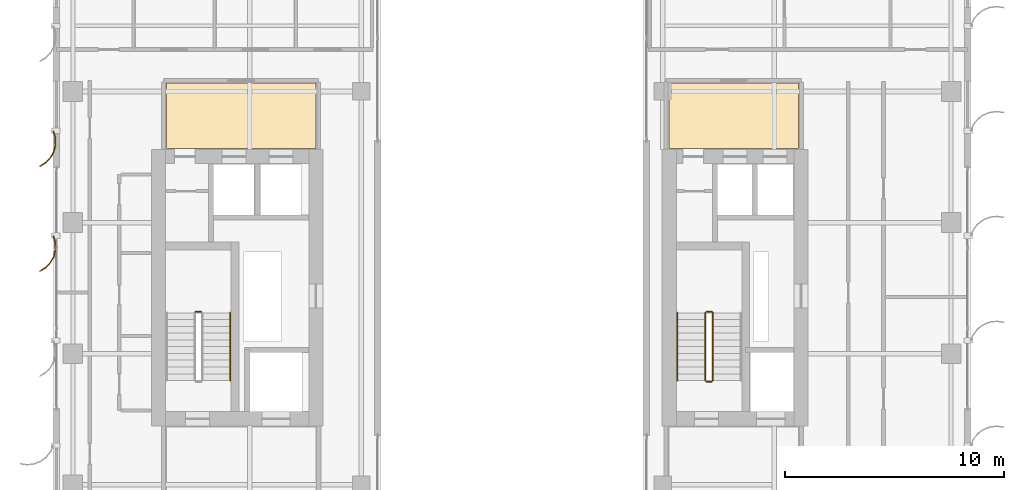
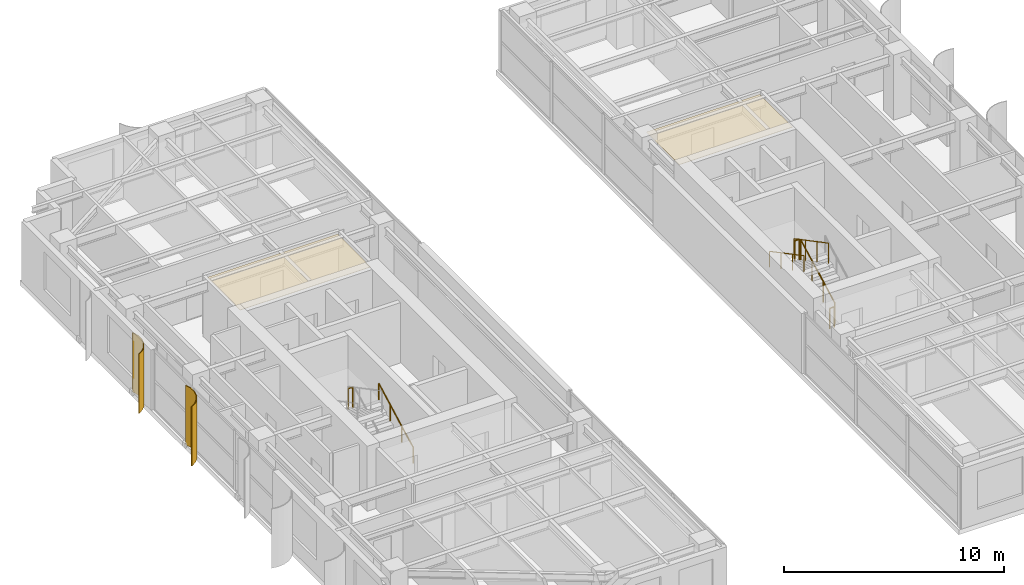
# One storey, part 21 of 22: 7 railings, 2 coverings, 2 shading devices.
"""IFC4 building model written with IfcOpenShell, lengths in metres."""

from ifc_helpers import new_model, si_unit, direction, frame, origin, origin_2d, place, context, subcontext, project, spatial, polyline, circle, outline, extrude, source, transform, mapped, material, layer, layer_set, type_object, element, save


model = new_model("IFC4")

# Units and contexts
model_context = context("Model", 3, precision=1e-05, world=origin(), true_north=direction((0.0, 1.0)))
body_context = subcontext(model_context, "Body", "Model", "MODEL_VIEW")
ifc_project = project(units=[si_unit("LENGTHUNIT", "METRE"), si_unit("AREAUNIT", "SQUARE_METRE"), si_unit("VOLUMEUNIT", "CUBIC_METRE"), si_unit("PLANEANGLEUNIT", "RADIAN"), si_unit("MASSUNIT", "GRAM", prefix="KILO")], contexts=[model_context])

# Site, building, storey
site_placement = place(None, origin())
site = spatial("IfcSite", under=ifc_project, at=site_placement, CompositionType="ELEMENT")
building_placement = place(site_placement, origin())
building = spatial("IfcBuilding", under=site, at=building_placement, Name="Khoralis Quay Care Tower", CompositionType="ELEMENT")
storey_placement = place(building_placement, frame((0.0, 0.0, 195.300048828125)))
storey = spatial("IfcBuildingStorey", under=building, at=storey_placement, Name="L51", CompositionType="ELEMENT", Elevation=195.300048828125)

# Coverings
ifc_material_1 = material(Name="Mineral-fibre acoustic ceiling tile")
ifc_layer_1 = layer(ifc_material_1, 0.01806640625)
ifc_layer_set_1 = layer_set([ifc_layer_1], Name="Mineral-fibre acoustic ceiling tile")
covering_type = type_object("IfcCoveringType", Name="COV-CEIL-AC18", PredefinedType="CEILING", material=ifc_layer_set_1)
covering_1_placement = place(storey_placement, frame((0.0, 0.0, 3.19189453125)))
element("IfcCovering", 1, at=covering_1_placement, inside=storey, type_object=covering_type, Name="Suspended Acoustic Ceiling SP-L51-LLOB-W", PredefinedType="CEILING", context=body_context, shape_type="SweptSolid", body=[
    extrude(outline(polyline([(8.179931640625, 27.39990234375), (15.02001953125, 27.39990234375), (15.02001953125, 30.389892578125), (8.179931640625, 30.389892578125), (8.179931640625, 27.39990234375)])), origin(), (0.0, 0.0, 1.0), 0.01806640625),
])
covering_2_placement = place(storey_placement, frame((0.0, 0.0, 3.19189453125)))
element("IfcCovering", 2, at=covering_2_placement, inside=storey, type_object=covering_type, Name="Suspended Acoustic Ceiling SP-L51-LLOB-E", PredefinedType="CEILING", context=body_context, shape_type="SweptSolid", body=[
    extrude(outline(polyline([(31.179931640625, 27.39990234375), (37.1201171875, 27.39990234375), (37.1201171875, 30.389892578125), (31.179931640625, 30.389892578125), (31.179931640625, 27.39990234375)])), origin(), (0.0, 0.0, 1.0), 0.01806640625),
])

# Railings
ifc_material_2 = material(Name="Brushed stainless steel", Category="steel")
railing_type_1 = type_object("IfcRailingType", Name="RL-GUARD-1150", PredefinedType="GUARDRAIL", material=ifc_material_2)
railing_1_placement = place(storey_placement, frame((9.77001953125, 19.919921875, 1.800048828125)))
element("IfcRailing", 3, at=railing_1_placement, inside=storey, type_object=railing_type_1, Name="L51 ST-T1 stair guard 2", PredefinedType="GUARDRAIL", context=body_context, shape_type="SweptSolid", body=[
    extrude(circle(Radius=0.02392578125, at=origin_2d()), frame((0.0, 0.0, 1.1259765625), z_axis=(-1.0, 0.0, 0.0), x_axis=(0.0, -1.0, 0.0)), (0.0, 0.0, 1.0), 0.239990234375),
    extrude(circle(Radius=0.02099609375, at=origin_2d()), origin(), (0.0, 0.0, 1.0), 1.101806640625),
    extrude(circle(Radius=0.02099609375, at=origin_2d()), frame((-0.239990234375, 0.0, 0.0)), (0.0, 0.0, 1.0), 1.101806640625),
])
railing_2_placement = place(storey_placement, frame((33.18994140625, 16.77001953125, 0.16357421875)))
element("IfcRailing", 4, at=railing_2_placement, inside=storey, type_object=railing_type_1, Name="L51 ST-T2 stair guard 1", PredefinedType="GUARDRAIL", context=body_context, shape_type="SweptSolid", body=[
    extrude(circle(Radius=0.02392578125, at=origin_2d()), frame((0.0, 0.0, 1.1259765625), z_axis=(0.0, 0.884348015382, 0.466828220752), x_axis=(-1.0, 0.0, 0.0)), (0.0, 0.0, 1.0), 3.505615234375),
    extrude(circle(Radius=0.02099609375, at=origin_2d()), origin(), (0.0, 0.0, 1.0), 1.101806640625),
    extrude(circle(Radius=0.02099609375, at=origin_2d()), frame((0.0, 1.033447265625, 0.54541015625)), (0.0, 0.0, 1.0), 1.101806640625),
    extrude(circle(Radius=0.02099609375, at=origin_2d()), frame((0.0, 2.066650390625, 1.091064453125)), (0.0, 0.0, 1.0), 1.101806640625),
    extrude(circle(Radius=0.02099609375, at=origin_2d()), frame((0.0, 3.10009765625, 1.636474609375)), (0.0, 0.0, 1.0), 1.101806640625),
])
railing_3_placement = place(storey_placement, frame((33.139892578125, 19.919921875, 1.800048828125)))
element("IfcRailing", 5, at=railing_3_placement, inside=storey, type_object=railing_type_1, Name="L51 ST-T2 stair guard 2", PredefinedType="GUARDRAIL", context=body_context, shape_type="SweptSolid", body=[
    extrude(circle(Radius=0.02392578125, at=origin_2d()), frame((0.0, 0.0, 1.1259765625), z_axis=(-1.0, 0.0, 0.0), x_axis=(0.0, -1.0, 0.0)), (0.0, 0.0, 1.0), 0.239990234375),
    extrude(circle(Radius=0.02099609375, at=origin_2d()), origin(), (0.0, 0.0, 1.0), 1.101806640625),
    extrude(circle(Radius=0.02099609375, at=origin_2d()), frame((-0.239990234375, 0.0, 0.0)), (0.0, 0.0, 1.0), 1.101806640625),
])
railing_4_placement = place(storey_placement, frame((32.85009765625, 19.8701171875, 1.963623046875)))
element("IfcRailing", 6, at=railing_4_placement, inside=storey, type_object=railing_type_1, Name="L51 ST-T2 stair guard 3", PredefinedType="GUARDRAIL", context=body_context, shape_type="SweptSolid", body=[
    extrude(circle(Radius=0.02392578125, at=origin_2d()), frame((0.0, 0.0, 1.1259765625), z_axis=(0.0, -0.884376766648, 0.46677375099), x_axis=(1.0, 0.0, 0.0)), (0.0, 0.0, 1.0), 3.50537109375),
    extrude(circle(Radius=0.02099609375, at=origin_2d()), origin(), (0.0, 0.0, 1.0), 1.101806640625),
    extrude(circle(Radius=0.02099609375, at=origin_2d()), frame((0.0, -1.033447265625, 0.54541015625)), (0.0, 0.0, 1.0), 1.101806640625),
    extrude(circle(Radius=0.02099609375, at=origin_2d()), frame((0.0, -2.066650390625, 1.0908203125)), (0.0, 0.0, 1.0), 1.101806640625),
    extrude(circle(Radius=0.02099609375, at=origin_2d()), frame((0.0, -3.10009765625, 1.63623046875)), (0.0, 0.0, 1.0), 1.101806640625),
])
railing_5_placement = place(storey_placement, frame((33.139892578125, 16.719970703125, 0.0)))
element("IfcRailing", 7, at=railing_5_placement, inside=storey, type_object=railing_type_1, Name="L51 ST-T2 stair guard 4", PredefinedType="GUARDRAIL", context=body_context, shape_type="SweptSolid", body=[
    extrude(circle(Radius=0.02392578125, at=origin_2d()), frame((0.0, 0.0, 1.1259765625), z_axis=(-1.0, 0.0, 0.0), x_axis=(0.0, -1.0, 0.0)), (0.0, 0.0, 1.0), 0.239990234375),
    extrude(circle(Radius=0.02099609375, at=origin_2d()), origin(), (0.0, 0.0, 1.0), 1.101806640625),
    extrude(circle(Radius=0.02099609375, at=origin_2d()), frame((-0.239990234375, 0.0, 0.0)), (0.0, 0.0, 1.0), 1.101806640625),
])
railing_type_2 = type_object("IfcRailingType", Name="RL-HAND-900", PredefinedType="HANDRAIL", material=ifc_material_2)
railing_6_placement = place(storey_placement, frame((11.10009765625, 16.77001953125, 0.16357421875)))
element("IfcRailing", 8, at=railing_6_placement, inside=storey, type_object=railing_type_2, Name="L51 ST-T1 stair handrail 1", PredefinedType="HANDRAIL", context=body_context, shape_type="SweptSolid", body=[
    extrude(circle(Radius=0.02392578125, at=origin_2d()), frame((0.0, 0.0, 0.8759765625), z_axis=(0.0, 0.884348015382, 0.466828220752), x_axis=(-1.0, 0.0, 0.0)), (0.0, 0.0, 1.0), 3.505615234375),
    extrude(circle(Radius=0.02099609375, at=origin_2d()), origin(), (0.0, 0.0, 1.0), 0.851806640625),
    extrude(circle(Radius=0.02099609375, at=origin_2d()), frame((0.0, 1.033447265625, 0.54541015625)), (0.0, 0.0, 1.0), 0.851806640625),
    extrude(circle(Radius=0.02099609375, at=origin_2d()), frame((0.0, 2.066650390625, 1.091064453125)), (0.0, 0.0, 1.0), 0.851806640625),
    extrude(circle(Radius=0.02099609375, at=origin_2d()), frame((0.0, 3.10009765625, 1.636474609375)), (0.0, 0.0, 1.0), 0.851806640625),
])
railing_7_placement = place(storey_placement, frame((31.570068359375, 19.8701171875, 1.963623046875)))
element("IfcRailing", 9, at=railing_7_placement, inside=storey, type_object=railing_type_2, Name="L51 ST-T2 stair handrail 2", PredefinedType="HANDRAIL", context=body_context, shape_type="SweptSolid", body=[
    extrude(circle(Radius=0.02392578125, at=origin_2d()), frame((0.0, 0.0, 0.8759765625), z_axis=(0.0, -0.884376766648, 0.46677375099), x_axis=(1.0, 0.0, 0.0)), (0.0, 0.0, 1.0), 3.50537109375),
    extrude(circle(Radius=0.02099609375, at=origin_2d()), origin(), (0.0, 0.0, 1.0), 0.851806640625),
    extrude(circle(Radius=0.02099609375, at=origin_2d()), frame((0.0, -1.033447265625, 0.54541015625)), (0.0, 0.0, 1.0), 0.851806640625),
    extrude(circle(Radius=0.02099609375, at=origin_2d()), frame((0.0, -2.066650390625, 1.0908203125)), (0.0, 0.0, 1.0), 0.851806640625),
    extrude(circle(Radius=0.02099609375, at=origin_2d()), frame((0.0, -3.10009765625, 1.63623046875)), (0.0, 0.0, 1.0), 0.851806640625),
])

# Shading devices
ifc_material_3 = material(Name="Brushed pale anodised aluminium", Category="aluminium")
ifc_layer_2 = layer(ifc_material_3, 0.044921875)
ifc_layer_set_2 = layer_set([ifc_layer_2], Name="Brushed pale anodised aluminium")
shading_device_type = type_object("IfcShadingDeviceType", Name="SHD-FIN-1250", PredefinedType="USERDEFINED", material=ifc_layer_set_2)
shared_shape = source(origin(), body_context, "Body", "SweptSolid", [
    extrude(outline(polyline([(0.0, 0.0), (-0.0927734375, 0.31298828125), (-0.101318359375, 0.63916015625), (-0.025146484375, 0.956298828125), (0.130615234375, 1.2431640625), (0.355224609375, 1.479736328125), (0.633544921875, 1.650390625), (0.65185546875, 1.609130859375), (0.383544921875, 1.44482421875), (0.1669921875, 1.216796875), (0.01708984375, 0.940185546875), (-0.056396484375, 0.63427734375), (-0.04833984375, 0.31982421875), (0.041015625, 0.018310546875), (0.0, 0.0)])), origin(), (0.0, 0.0, 1.0), 3.280029296875),
])
for number, where, z_axis, x_axis, name in (
    (10, (3.030029296875, 28.199951171875, 0.02001953125), (0.0, 0.0, 1.0), (-1.0, 0.0, 0.0), "L51 Curved Solar Fin P1E7-02"),
    (11, (3.030029296875, 23.39990234375, 0.02001953125), (0.0, 0.0, 1.0), (-1.0, 0.0, 0.0), "L51 Curved Solar Fin P1E7-03"),
):
    element("IfcShadingDevice", number, at=place(storey_placement, frame(where, z_axis=z_axis, x_axis=x_axis)), inside=storey, type_object=shading_device_type, Name=name, ObjectType="FIN", PredefinedType="USERDEFINED", context=body_context, shape_type="MappedRepresentation", body=[
        mapped(shared_shape, transform((0.0, 0.0, 0.0), scale=1.0)),
    ])

save(model, "model.ifc")
